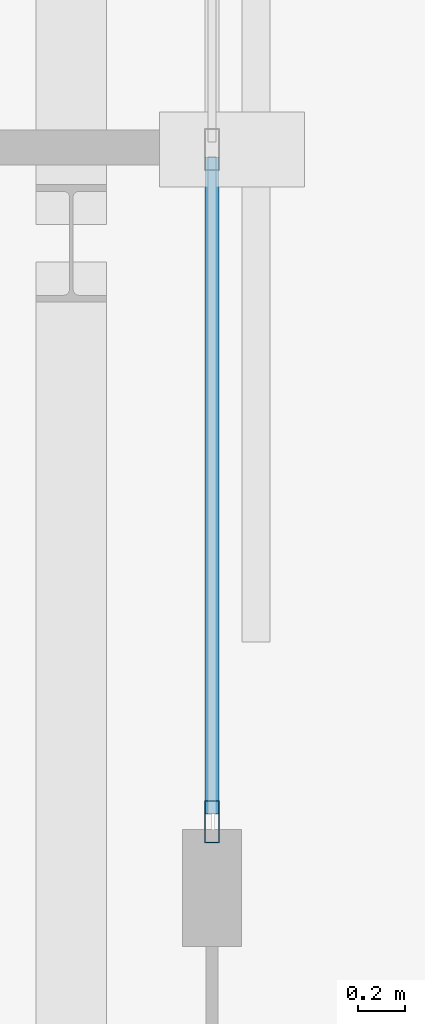
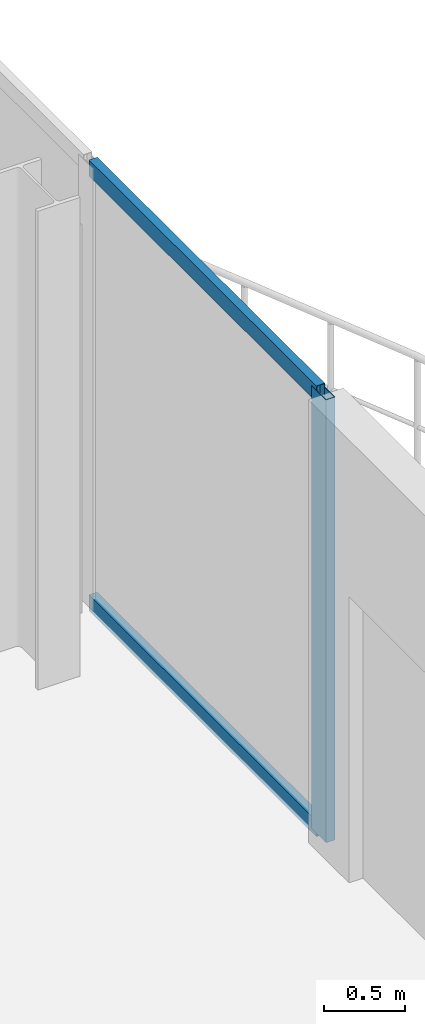
# One storey, part 14 of 23: 3 members, 1 element without a shape of its own.
"""IFC4 building model written with IfcOpenShell, lengths in metres."""

from ifc_helpers import new_model, si_unit, direction, frame, origin, origin_2d, place, context, subcontext, project, spatial, hollow_rectangle, extrude, material, layer, layer_set, material_profile, profile_set, type_object, element, aggregate, save


model = new_model("IFC4")

# Units and contexts
model_context = context("Model", 3, precision=1e-05, world=origin(), true_north=direction((0.0, 1.0)))
body_context = subcontext(model_context, "Body", "Model", "MODEL_VIEW")
ifc_project = project(units=[si_unit("LENGTHUNIT", "METRE"), si_unit("AREAUNIT", "SQUARE_METRE"), si_unit("VOLUMEUNIT", "CUBIC_METRE"), si_unit("PLANEANGLEUNIT", "RADIAN"), si_unit("MASSUNIT", "GRAM", prefix="KILO")], contexts=[model_context])

# Site, building, storey
site_placement = place(None, origin())
site = spatial("IfcSite", under=ifc_project, at=site_placement, CompositionType="ELEMENT")
building_placement = place(site_placement, origin())
building = spatial("IfcBuilding", under=site, at=building_placement, Name="Catumbela Crestline Tower", CompositionType="ELEMENT")
storey_placement = place(building_placement, frame((0.0, 0.0, 179.4)))
storey = spatial("IfcBuildingStorey", under=building, at=storey_placement, Name="L46", CompositionType="ELEMENT", Elevation=179.4)

# Curtain wall, members
ifc_material = material(Name="Aluminium alloy AW-6060-T66", Category="aluminium")
ifc_layer = layer(ifc_material, 0.18, Name="Aluminium alloy AW-6060-T66")
ifc_layer_set = layer_set([ifc_layer], Name="Aluminium alloy AW-6060-T66")
curtain_wall_type = type_object("IfcCurtainWallType", Name="CWU-Z3", PredefinedType="USERDEFINED", material=ifc_layer_set)
curtain_wall_placement = place(storey_placement, origin())
curtain_wall = element("IfcCurtainWall", 1, at=curtain_wall_placement, inside=storey, type_object=curtain_wall_type, Name="L46 Unitised Curtain Wall CW-L46-E5S2", ObjectType="UNITISED", PredefinedType="USERDEFINED")
ifc_material_profile_1 = material_profile(ifc_material, hollow_rectangle(XDim=0.065, YDim=0.18, WallThickness=0.004, at=origin_2d()), Name="ALU 180x65x4")
ifc_profile_set_1 = profile_set([ifc_material_profile_1], Name="Aluminium alloy AW-6060-T66")
member_type_1 = type_object("IfcMemberType", Name="MUL-180X65", PredefinedType="MULLION", material=ifc_profile_set_1)
member_1_placement = place(storey_placement, frame((51.0, 33.7325, 0.0), z_axis=(0.0, 0.0, 1.0), x_axis=(-1.0, 0.0, 0.0)))
member_1 = element("IfcMember", 2, at=member_1_placement, type_object=member_type_1, Name="CWU-Z3 mullion 1", PredefinedType="MULLION", context=body_context, shape_type="SweptSolid", body=[
    extrude(hollow_rectangle(XDim=0.065, YDim=0.18, WallThickness=0.004, at=origin_2d()), origin(), (0.0, 0.0, 1.0), 3.33),
])
ifc_material_profile_2 = material_profile(ifc_material, hollow_rectangle(XDim=0.06, YDim=0.12, WallThickness=0.0035, at=origin_2d()), Name="ALU 120x60x3.5")
ifc_profile_set_2 = profile_set([ifc_material_profile_2], Name="Aluminium alloy AW-6060-T66")
member_type_2 = type_object("IfcMemberType", Name="TRN-120X60", PredefinedType="USERDEFINED", material=ifc_profile_set_2)
member_2_placement = place(storey_placement, frame((51.0, 33.765, 0.03), z_axis=(0.0, 1.0, 0.0), x_axis=(-1.0, 0.0, 0.0)))
member_2 = element("IfcMember", 3, at=member_2_placement, type_object=member_type_2, Name="CWU-Z3 transom 1.1", ObjectType="TRANSOM", PredefinedType="USERDEFINED", context=body_context, shape_type="SweptSolid", body=[
    extrude(hollow_rectangle(XDim=0.06, YDim=0.12, WallThickness=0.0035, at=origin_2d()), origin(), (0.0, 0.0, 1.0), 2.8025),
])
member_3_placement = place(storey_placement, frame((51.0, 33.765, 3.3), z_axis=(0.0, 1.0, 0.0), x_axis=(-1.0, 0.0, 0.0)))
member_3 = element("IfcMember", 4, at=member_3_placement, type_object=member_type_2, Name="CWU-Z3 transom 1.2", ObjectType="TRANSOM", PredefinedType="USERDEFINED", context=body_context, shape_type="SweptSolid", body=[
    extrude(hollow_rectangle(XDim=0.06, YDim=0.12, WallThickness=0.0035, at=origin_2d()), origin(), (0.0, 0.0, 1.0), 2.8025),
])
aggregate(curtain_wall, [member_1, member_2, member_3])

save(model, "model.ifc")
